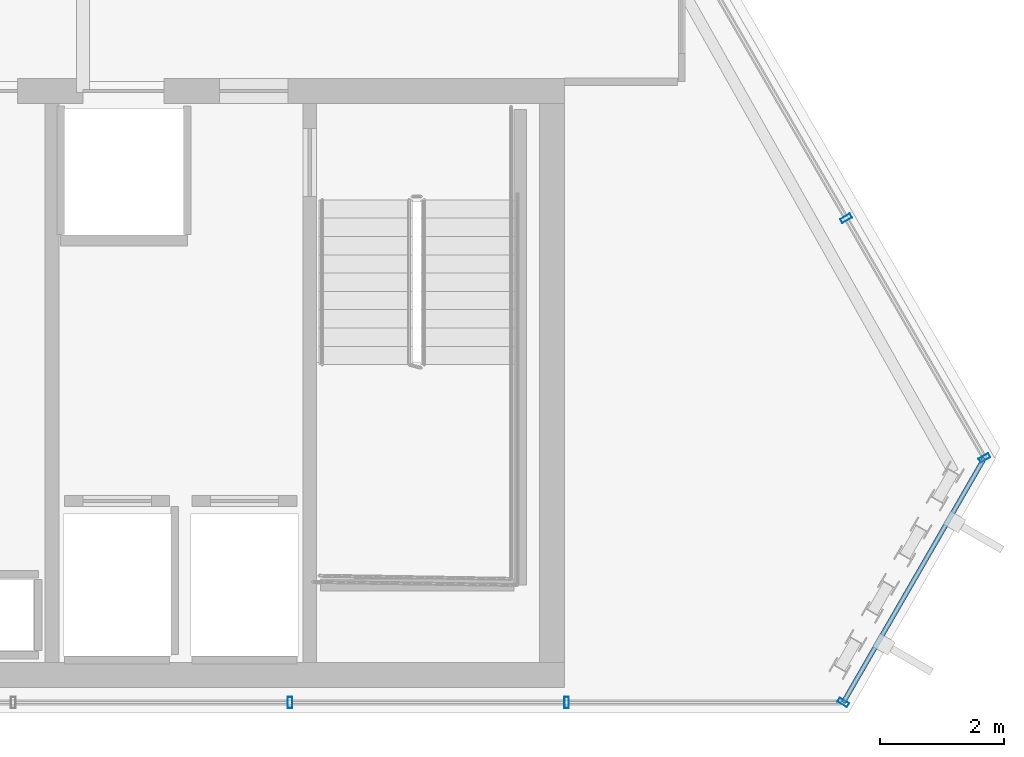
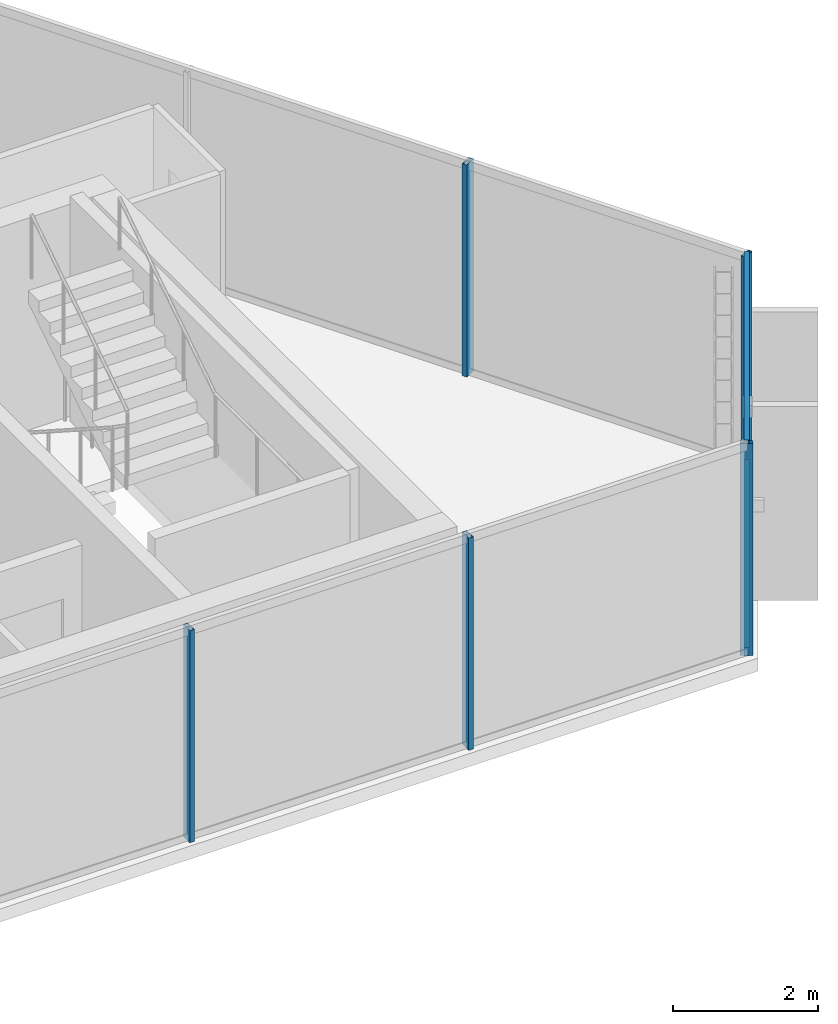
# One storey, part 20 of 32: 7 members, 3 elements without a shape of their own.
"""IFC4 building model written with IfcOpenShell, lengths in metres."""

from ifc_helpers import new_model, si_unit, direction, frame, origin, origin_2d, place, context, subcontext, project, spatial, hollow_rectangle, extrude, material, layer, layer_set, material_profile, profile_set, type_object, element, aggregate, save


model = new_model("IFC4")

# Units and contexts
model_context = context("Model", 3, precision=1e-05, world=origin(), true_north=direction((0.0, 1.0)))
body_context = subcontext(model_context, "Body", "Model", "MODEL_VIEW")
ifc_project = project(units=[si_unit("LENGTHUNIT", "METRE"), si_unit("AREAUNIT", "SQUARE_METRE"), si_unit("VOLUMEUNIT", "CUBIC_METRE"), si_unit("PLANEANGLEUNIT", "RADIAN"), si_unit("MASSUNIT", "GRAM", prefix="KILO")], contexts=[model_context])

# Site, building, storey
site_placement = place(None, origin())
site = spatial("IfcSite", under=ifc_project, at=site_placement, CompositionType="ELEMENT")
building_placement = place(site_placement, origin())
building = spatial("IfcBuilding", under=site, at=building_placement, Name="Ndaravel Arena Tower", CompositionType="ELEMENT")
storey_placement = place(building_placement, frame((0.0, 0.0, 283.300048828125)))
storey = spatial("IfcBuildingStorey", under=building, at=storey_placement, Name="L69", CompositionType="ELEMENT", Elevation=283.300048828125)

# Curtain wall, members
ifc_material_1 = material(Name="Aluminium", Category="aluminium")
ifc_layer_1 = layer(ifc_material_1, 0.179931640625)
ifc_layer_set_1 = layer_set([ifc_layer_1], Name="Aluminium")
curtain_wall_type_1 = type_object("IfcCurtainWallType", Name="CW-SYS-03", PredefinedType="NOTDEFINED", material=ifc_layer_set_1)
curtain_wall_1_placement = place(storey_placement, origin())
curtain_wall_1 = element("IfcCurtainWall", 1, at=curtain_wall_1_placement, inside=storey, type_object=curtain_wall_type_1, Name="L69 Faceted Crystal Curtain Wall CW-L69-E01", PredefinedType="NOTDEFINED")
ifc_material_2 = material(Name="Aluminium", Category="aluminium")
ifc_material_profile_1 = material_profile(ifc_material_2, hollow_rectangle(XDim=0.074951171875, YDim=0.179931640625, WallThickness=0.00390625, at=origin_2d()), Name="CW MULLION 75x180x4")
ifc_profile_set_1 = profile_set([ifc_material_profile_1], Name="Aluminium")
member_type_1 = type_object("IfcMemberType", Name="MEM-CW-MUL180", PredefinedType="MULLION", material=ifc_profile_set_1)
member_1_placement = place(storey_placement, frame((53.130615234375, 5.159912109375, 0.0), z_axis=(0.0, 0.0, 1.0), x_axis=(1.0, 0.0, 0.0)))
member_1 = element("IfcMember", 2, at=member_1_placement, type_object=member_type_1, Name="CW-L69-E01 Mullion 07", PredefinedType="MULLION", context=body_context, shape_type="SweptSolid", body=[
    extrude(hollow_rectangle(XDim=0.074951171875, YDim=0.179931640625, WallThickness=0.00390625, at=origin_2d()), origin(), (0.0, 0.0, 1.0), 3.579833984375),
])
member_2_placement = place(storey_placement, frame((57.5830078125, 5.159912109375, 0.0), z_axis=(0.0, 0.0, 1.0), x_axis=(1.0, 0.0, 0.0)))
member_2 = element("IfcMember", 3, at=member_2_placement, type_object=member_type_1, Name="CW-L69-E01 Mullion 08", PredefinedType="MULLION", context=body_context, shape_type="SweptSolid", body=[
    extrude(hollow_rectangle(XDim=0.074951171875, YDim=0.179931640625, WallThickness=0.00390625, at=origin_2d()), origin(), (0.0, 0.0, 1.0), 3.579833984375),
])
aggregate(curtain_wall_1, [member_1, member_2])

# Curtain wall, member
ifc_material_3 = material(Name="Aluminium", Category="aluminium")
ifc_layer_2 = layer(ifc_material_3, 0.179931640625)
ifc_layer_set_2 = layer_set([ifc_layer_2], Name="Aluminium")
curtain_wall_type_2 = type_object("IfcCurtainWallType", Name="CW-SYS-01", PredefinedType="NOTDEFINED", material=ifc_layer_set_2)
curtain_wall_2_placement = place(storey_placement, origin())
curtain_wall_2 = element("IfcCurtainWall", 4, at=curtain_wall_2_placement, inside=storey, type_object=curtain_wall_type_2, Name="L69 Faceted Crystal Curtain Wall CW-L69-E02", PredefinedType="NOTDEFINED")
member_3_placement = place(storey_placement, frame((62.03515625, 5.159912109375, 0.0), z_axis=(0.0, 0.0, 1.0), x_axis=(0.499984884929, 0.866034130299, 0.0)))
member_3 = element("IfcMember", 5, at=member_3_placement, type_object=member_type_1, Name="CW-L69-E02 Mullion 00", PredefinedType="MULLION", context=body_context, shape_type="SweptSolid", body=[
    extrude(hollow_rectangle(XDim=0.074951171875, YDim=0.179931640625, WallThickness=0.00390625, at=origin_2d()), origin(), (0.0, 0.0, 1.0), 3.579833984375),
])

# Curtain wall, members
curtain_wall_3_placement = place(storey_placement, origin())
curtain_wall_3 = element("IfcCurtainWall", 6, at=curtain_wall_3_placement, inside=storey, type_object=curtain_wall_type_1, Name="L69 Faceted Crystal Curtain Wall CW-L69-E03", PredefinedType="NOTDEFINED")
member_4_placement = place(storey_placement, frame((64.307373046875, 9.095947265625, 0.0), z_axis=(0.0, 0.0, 1.0), x_axis=(-0.5, 0.866025403784, 0.0)))
member_4 = element("IfcMember", 7, at=member_4_placement, type_object=member_type_1, Name="CW-L69-E03 Mullion 00", PredefinedType="MULLION", context=body_context, shape_type="SweptSolid", body=[
    extrude(hollow_rectangle(XDim=0.074951171875, YDim=0.179931640625, WallThickness=0.00390625, at=origin_2d()), origin(), (0.0, 0.0, 1.0), 3.579833984375),
])
member_5_placement = place(storey_placement, frame((62.081298828125, 12.95166015625, 0.0), z_axis=(0.0, 0.0, 1.0), x_axis=(-0.5, 0.866025403784, 0.0)))
member_5 = element("IfcMember", 8, at=member_5_placement, type_object=member_type_1, Name="CW-L69-E03 Mullion 01", PredefinedType="MULLION", context=body_context, shape_type="SweptSolid", body=[
    extrude(hollow_rectangle(XDim=0.074951171875, YDim=0.179931640625, WallThickness=0.00390625, at=origin_2d()), origin(), (0.0, 0.0, 1.0), 3.579833984375),
])
aggregate(curtain_wall_3, [member_4, member_5])

# Member
ifc_material_4 = material(Name="Aluminium", Category="aluminium")
ifc_material_profile_2 = material_profile(ifc_material_4, hollow_rectangle(XDim=0.074951171875, YDim=0.14990234375, WallThickness=0.00390625, at=origin_2d()), Name="CW TRANSOM 75x150x4")
ifc_profile_set_2 = profile_set([ifc_material_profile_2], Name="Aluminium")
member_type_2 = type_object("IfcMemberType", Name="MEM-CW-TRN150", PredefinedType="USERDEFINED", material=ifc_profile_set_2)
member_6_placement = place(storey_placement, frame((62.03515625, 5.159912109375, 0.0400390625), z_axis=(0.49995805709, 0.866049618181, 0.0), x_axis=(-0.866049618181, 0.49995805709, 0.0)))
member_6 = element("IfcMember", 9, at=member_6_placement, type_object=member_type_2, Name="CW-L69-E02 Transom 01", ObjectType="TRANSOM", PredefinedType="USERDEFINED", context=body_context, shape_type="SweptSolid", body=[
    extrude(hollow_rectangle(XDim=0.074951171875, YDim=0.14990234375, WallThickness=0.00390625, at=origin_2d()), origin(), (0.0, 0.0, 1.0), 4.544921875),
])

member_7_placement = place(storey_placement, frame((62.03515625, 5.159912109375, 3.5400390625), z_axis=(0.49995805709, 0.866049618181, 0.0), x_axis=(-0.866049618181, 0.49995805709, 0.0)))
member_7 = element("IfcMember", 10, at=member_7_placement, type_object=member_type_2, Name="CW-L69-E02 Transom 02", ObjectType="TRANSOM", PredefinedType="USERDEFINED", context=body_context, shape_type="SweptSolid", body=[
    extrude(hollow_rectangle(XDim=0.074951171875, YDim=0.14990234375, WallThickness=0.00390625, at=origin_2d()), origin(), (0.0, 0.0, 1.0), 4.544921875),
])

aggregate(curtain_wall_2, [member_3, member_6, member_7])

save(model, "model.ifc")
